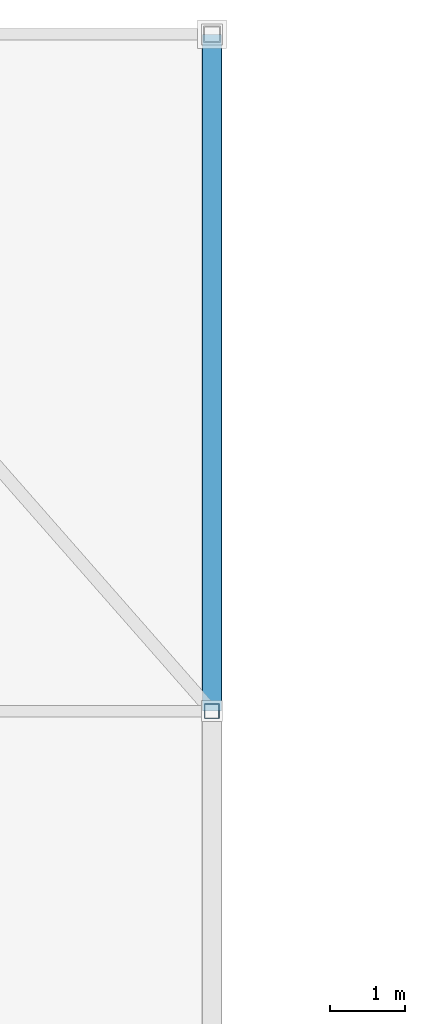
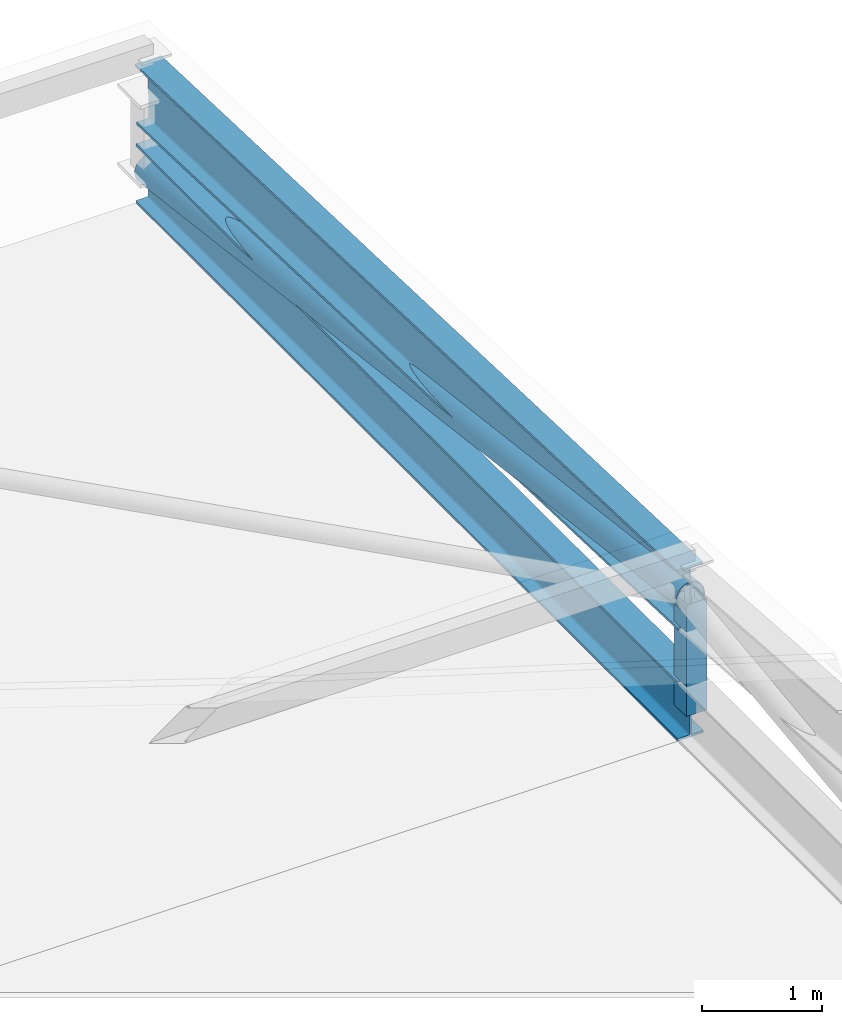
# One storey, part 76 of 114: 2 beams, 2 members.
"""IFC4 building model written with IfcOpenShell, lengths in metres."""

import ifcopenshell
import ifcopenshell.guid

model = None  # the IFC model being written
_history = None  # IfcOwnerHistory: only IFC2X3 demands one
_inside = {}  # id of a spatial element -> (the spatial element, [elements in it])
_under = {}  # id of a project, library or spatial element -> (it, [spatial elements below it])
_declared = {}  # id of a project -> (the project, [libraries it declares])
_typed = {}  # id of a type object -> (the type object, [elements of that type])
_made_of = {}  # id of a material, layer set ... -> (it, [elements and type objects made of it])


def new_model(schema):
    """Start an empty IFC model of exactly this schema.

    Asked for "IFC4X3", IfcOpenShell would pick the latest addendum, in which some entities
    have other attributes; the version numbers below select the first issue.
    IFC2X3 requires an IfcOwnerHistory on every rooted entity: one is made here for all.
    """
    global model, _history
    if schema == "IFC4X3":
        model = ifcopenshell.file(schema_version=(4, 3, 0, 0))
    else:
        model = ifcopenshell.file(schema=schema)
    _inside.clear()
    _under.clear()
    _declared.clear()
    _typed.clear()
    _made_of.clear()
    _history = None
    if model.schema == "IFC2X3":
        org = make("IfcOrganization", Name="unknown")
        user = make(
            "IfcPersonAndOrganization",
            ThePerson=make("IfcPerson", FamilyName="unknown"),
            TheOrganization=org,
        )
        app = make(
            "IfcApplication",
            ApplicationDeveloper=org,
            Version="unknown",
            ApplicationFullName="unknown",
            ApplicationIdentifier="unknown",
        )
        _history = make(
            "IfcOwnerHistory",
            OwningUser=user,
            OwningApplication=app,
            ChangeAction="ADDED",
            CreationDate=0,
        )
    return model


def make(cls, **values):
    """One entity of the class cls with the attributes given. An attribute that is None is left unset."""
    return model.create_entity(
        cls, **{name: value for name, value in values.items() if value is not None}
    )


def rooted(cls, **values):
    """An entity with a GlobalId (a new one), such as an element, a storey or a relation."""
    return make(cls, GlobalId=ifcopenshell.guid.new(), OwnerHistory=_history, **values)


def si_unit(unit_type, name, prefix=None):
    """IfcSIUnit, for example si_unit("LENGTHUNIT", "METRE", prefix="MILLI")."""
    return make("IfcSIUnit", UnitType=unit_type, Prefix=prefix, Name=name)


def assignment(units):
    """IfcUnitAssignment: the units of a project."""
    return None if units is None else make("IfcUnitAssignment", Units=units)


def point(xyz):
    """IfcCartesianPoint."""
    return None if xyz is None else make("IfcCartesianPoint", Coordinates=xyz)


def direction(xyz):
    """IfcDirection."""
    return None if xyz is None else make("IfcDirection", DirectionRatios=xyz)


def frame(location, z_axis=None, x_axis=None):
    """IfcAxis2Placement3D, a coordinate frame: its origin and axes. An axis left out is left unset."""
    return make(
        "IfcAxis2Placement3D",
        Location=point(location),
        Axis=direction(z_axis),
        RefDirection=direction(x_axis),
    )


def frame_2d(location, x_axis=None):
    """IfcAxis2Placement2D, a coordinate frame in the plane: its origin and x axis."""
    return make(
        "IfcAxis2Placement2D", Location=point(location), RefDirection=direction(x_axis)
    )


def origin():
    """The frame at (0, 0, 0) with its axes left unset."""
    return frame((0.0, 0.0, 0.0))


def origin_2d():
    """The frame at (0, 0) in the plane with its x axis left unset."""
    return frame_2d((0.0, 0.0))


def place(relative_to, where):
    """IfcLocalPlacement: puts the frame where relative to a parent placement (None: the world)."""
    return make(
        "IfcLocalPlacement", PlacementRelTo=relative_to, RelativePlacement=where
    )


def context(
    kind, dimensions, precision=None, world=None, true_north=None, identifier=None
):
    """IfcGeometricRepresentationContext, for example the 3D "Model" context."""
    return make(
        "IfcGeometricRepresentationContext",
        ContextIdentifier=identifier,
        ContextType=kind,
        CoordinateSpaceDimension=dimensions,
        Precision=precision,
        WorldCoordinateSystem=world,
        TrueNorth=true_north,
    )


def subcontext(parent, identifier, kind, view, scale=None):
    """IfcGeometricRepresentationSubContext, for example "Body" below "Model"."""
    return make(
        "IfcGeometricRepresentationSubContext",
        ContextIdentifier=identifier,
        ContextType=kind,
        ParentContext=parent,
        TargetScale=scale,
        TargetView=view,
    )


def project(units=None, contexts=None):
    """IfcProject with its units and contexts."""
    return rooted(
        "IfcProject",
        Name="project",
        RepresentationContexts=contexts,
        UnitsInContext=assignment(units),
    )


def spatial(cls, under=None, at=None, **own):
    """A site, building, storey or space (cls), placed at a placement, below another one or the project."""
    s = rooted(cls, ObjectPlacement=at, **own)
    if under is not None:
        _under.setdefault(under.id(), (under, []))[1].append(s)
    return s


def profile(cls, at=None, kind="AREA", **sizes):
    """A parametric profile (cls). Its sizes go by their IFC names, for example OverallWidth=200.0."""
    return make(cls, ProfileType=kind, Position=at, **sizes)


def hollow_rectangle(**sizes):
    """IfcRectangleHollowProfileDef."""
    return profile("IfcRectangleHollowProfileDef", **sizes)


def hollow_circle(**sizes):
    """IfcCircleHollowProfileDef."""
    return profile("IfcCircleHollowProfileDef", **sizes)


def i_section(**sizes):
    """IfcIShapeProfileDef."""
    return profile("IfcIShapeProfileDef", **sizes)


def extrude(swept, where, along, depth):
    """IfcExtrudedAreaSolid: the profile swept, set in the frame where, extruded along a direction by depth."""
    return make(
        "IfcExtrudedAreaSolid",
        SweptArea=swept,
        Position=where,
        ExtrudedDirection=direction(along),
        Depth=depth,
    )


def shape(context_of_items, identifier, shape_type, items):
    """IfcShapeRepresentation: the items that make up one representation, for example the "Body"."""
    return make(
        "IfcShapeRepresentation",
        ContextOfItems=context_of_items,
        RepresentationIdentifier=identifier,
        RepresentationType=shape_type,
        Items=items,
    )


def material(Name=None, Category=None):
    """IfcMaterial."""
    return make("IfcMaterial", Name=Name, Category=Category)


def material_profile(
    of_material, cross_section, Name=None, Category=None, Priority=None
):
    """IfcMaterialProfile: a cross section and its material."""
    return make(
        "IfcMaterialProfile",
        Name=Name,
        Material=of_material,
        Profile=cross_section,
        Priority=Priority,
        Category=Category,
    )


def profile_set(profiles, Name=None, composite=None):
    """IfcMaterialProfileSet."""
    return make(
        "IfcMaterialProfileSet",
        Name=Name,
        MaterialProfiles=profiles,
        CompositeProfile=composite,
    )


def made_of(thing, what):
    """Note that an element or type object is made of a material, layer set ...; save() writes the relation."""
    if what is not None:
        _made_of.setdefault(what.id(), (what, []))[1].append(thing)
    return thing


def type_object(cls, material=None, **own):
    """A type object (cls), such as IfcWallType, which elements share."""
    return made_of(rooted(cls, **own), material)


def element(
    cls,
    number,
    at=None,
    inside=None,
    cuts=None,
    type_object=None,
    material=None,
    context=None,
    identifier="Body",
    shape_type=None,
    held_by="IfcProductDefinitionShape",
    body=None,
    shapes=None,
    **own,
):
    """One element of the class cls, such as IfcWall. Its Tag is "e" and its number.

    at: its placement. inside: the storey or other place that contains it. cuts: it is an
    opening in that element (IfcRelVoidsElement). A single representation is given by context,
    identifier, shape_type and body (its items); several are given by shapes. held_by: the class
    of the entity that holds the representations. save() writes the other relations.
    """
    e = rooted(cls, Tag="e%d" % number, ObjectPlacement=at, **own)
    if body is not None:
        shapes = [shape(context, identifier, shape_type, body)]
    if shapes is not None:
        e.Representation = make(held_by, Representations=shapes)
    if inside is not None:
        _inside.setdefault(inside.id(), (inside, []))[1].append(e)
    if cuts is not None:
        rooted(
            "IfcRelVoidsElement", RelatingBuildingElement=cuts, RelatedOpeningElement=e
        )
    if type_object is not None:
        _typed.setdefault(type_object.id(), (type_object, []))[1].append(e)
    return made_of(e, material)


def aggregate(whole, parts):
    """IfcRelAggregates: a whole, such as a stair, and the parts it consists of."""
    return rooted("IfcRelAggregates", RelatingObject=whole, RelatedObjects=parts)


def save(model, path):
    """Write the relations noted so far, then the file.

    IfcRelAggregates (storeys below a building ...), IfcRelContainedInSpatialStructure (elements
    in a storey), IfcRelDefinesByType, IfcRelAssociatesMaterial and IfcRelDeclares: one each for
    every whole, place, type object, material and project.
    """
    for whole, parts in _under.values():
        aggregate(whole, parts)
    for where, things in _inside.values():
        rooted(
            "IfcRelContainedInSpatialStructure",
            RelatedElements=things,
            RelatingStructure=where,
        )
    for kind, things in _typed.values():
        rooted("IfcRelDefinesByType", RelatedObjects=things, RelatingType=kind)
    for what, things in _made_of.values():
        rooted("IfcRelAssociatesMaterial", RelatedObjects=things, RelatingMaterial=what)
    for by, libraries in _declared.values():
        rooted("IfcRelDeclares", RelatingContext=by, RelatedDefinitions=libraries)
    model.write(path)


model = new_model("IFC4")

# Units and contexts
model_context = context("Model", 3, precision=1e-05, world=origin(), true_north=direction((0.0, 1.0)))
body_context = subcontext(model_context, "Body", "Model", "MODEL_VIEW")
ifc_project = project(units=[si_unit("LENGTHUNIT", "METRE"), si_unit("AREAUNIT", "SQUARE_METRE"), si_unit("VOLUMEUNIT", "CUBIC_METRE"), si_unit("PLANEANGLEUNIT", "RADIAN"), si_unit("MASSUNIT", "GRAM", prefix="KILO"), si_unit("THERMODYNAMICTEMPERATUREUNIT", "KELVIN"), si_unit("POWERUNIT", "WATT")], contexts=[model_context])

# Site, building, storey
site_placement = place(None, origin())
site = spatial("IfcSite", under=ifc_project, at=site_placement, CompositionType="ELEMENT")
building_placement = place(site_placement, origin())
building = spatial("IfcBuilding", under=site, at=building_placement, Name="Sindhuravela Promenade Stadium", CompositionType="ELEMENT")
storey_placement = place(building_placement, frame((0.0, 0.0, 24.0)))
storey = spatial("IfcBuildingStorey", under=building, at=storey_placement, Name="L05", CompositionType="ELEMENT", Elevation=24.0)

# Beams
ifc_material = material(Name="Steel E350 (IS 2062 E350BR)", Category="steel")
ifc_material_profile_1 = material_profile(ifc_material, i_section(OverallWidth=0.25, OverallDepth=0.60009765625, WebThickness=0.01171875, FlangeThickness=0.023681640625, FilletRadius=0.01708984375, at=origin_2d()), Name="ISWB 600")
ifc_profile_set_1 = profile_set([ifc_material_profile_1], Name="Steel E350 (IS 2062 E350BR)")
beam_type = type_object("IfcBeamType", Name="ST-BM-WB600", PredefinedType="USERDEFINED", material=ifc_profile_set_1)
beam_1_placement = place(storey_placement, frame((160.89990234375, 153.0, 0.800048828125), z_axis=(0.0, -0.9993399990381225, 0.03632583546850814), x_axis=(1.0, 0.0, 0.0)))
element("IfcBeam", 1, at=beam_1_placement, inside=storey, type_object=beam_type, Name="Roof truss RT-N09 top chord 1", ObjectType="ROOF TRUSS", PredefinedType="USERDEFINED", context=body_context, shape_type="SweptSolid", body=[
    extrude(i_section(OverallWidth=0.25, OverallDepth=0.60009765625, WebThickness=0.01171875, FlangeThickness=0.023681640625, FilletRadius=0.01708984375, at=origin_2d()), origin(), (0.0, 0.0, 1.0), 9.005859375),
])
beam_2_placement = place(storey_placement, frame((160.89990234375, 153.0, 0.0), z_axis=(0.0, -1.0, 0.0), x_axis=(1.0, 0.0, 0.0)))
element("IfcBeam", 2, at=beam_2_placement, inside=storey, type_object=beam_type, Name="Roof truss RT-N09 bottom chord 1", ObjectType="ROOF TRUSS", PredefinedType="USERDEFINED", context=body_context, shape_type="SweptSolid", body=[
    extrude(i_section(OverallWidth=0.25, OverallDepth=0.60009765625, WebThickness=0.01171875, FlangeThickness=0.023681640625, FilletRadius=0.01708984375, at=origin_2d()), origin(), (0.0, 0.0, 1.0), 9.0),
])

# Members
ifc_material_profile_2 = material_profile(ifc_material, hollow_circle(Radius=0.136474609375, WallThickness=0.010009765625, at=origin_2d()), Name="CHS 273.0x10")
ifc_profile_set_2 = profile_set([ifc_material_profile_2], Name="Steel E350 (IS 2062 E350BR)")
member_type_1 = type_object("IfcMemberType", Name="ST-MB-CHS273", PredefinedType="BRACE", material=ifc_profile_set_2)
member_1_placement = place(storey_placement, frame((160.89990234375, 153.0, 0.0), z_axis=(0.0, -0.9922480329009012, 0.12427325216752011), x_axis=(1.0, 0.0, 0.0)))
element("IfcMember", 3, at=member_1_placement, inside=storey, type_object=member_type_1, Name="Roof truss RT-N09 diagonal web 1", PredefinedType="BRACE", context=body_context, shape_type="SweptSolid", body=[
    extrude(hollow_circle(Radius=0.136474609375, WallThickness=0.010009765625, at=origin_2d()), origin(), (0.0, 0.0, 1.0), 9.0703125),
])
ifc_material_profile_3 = material_profile(ifc_material, hollow_rectangle(XDim=0.199951171875, YDim=0.199951171875, WallThickness=0.010009765625, at=origin_2d()), Name="SHS 200x200x10")
ifc_profile_set_3 = profile_set([ifc_material_profile_3], Name="Steel E350 (IS 2062 E350BR)")
member_type_2 = type_object("IfcMemberType", Name="ST-MB-SHS200", PredefinedType="POST", material=ifc_profile_set_3)
member_2_placement = place(storey_placement, frame((160.89990234375, 144.0, 0.0), z_axis=(0.0, 0.0, 1.0), x_axis=(1.0, 0.0, 0.0)))
element("IfcMember", 4, at=member_2_placement, inside=storey, type_object=member_type_2, Name="Roof truss RT-N09 vertical post 2", PredefinedType="POST", context=body_context, shape_type="SweptSolid", body=[
    extrude(hollow_rectangle(XDim=0.199951171875, YDim=0.199951171875, WallThickness=0.010009765625, at=origin_2d()), origin(), (0.0, 0.0, 1.0), 1.127197265625),
])

save(model, "model.ifc")
